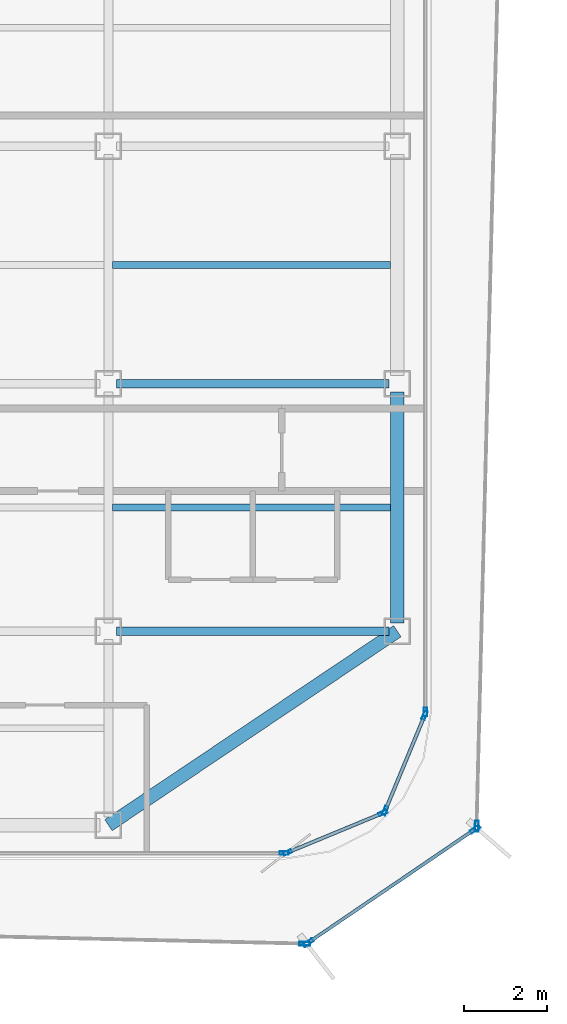
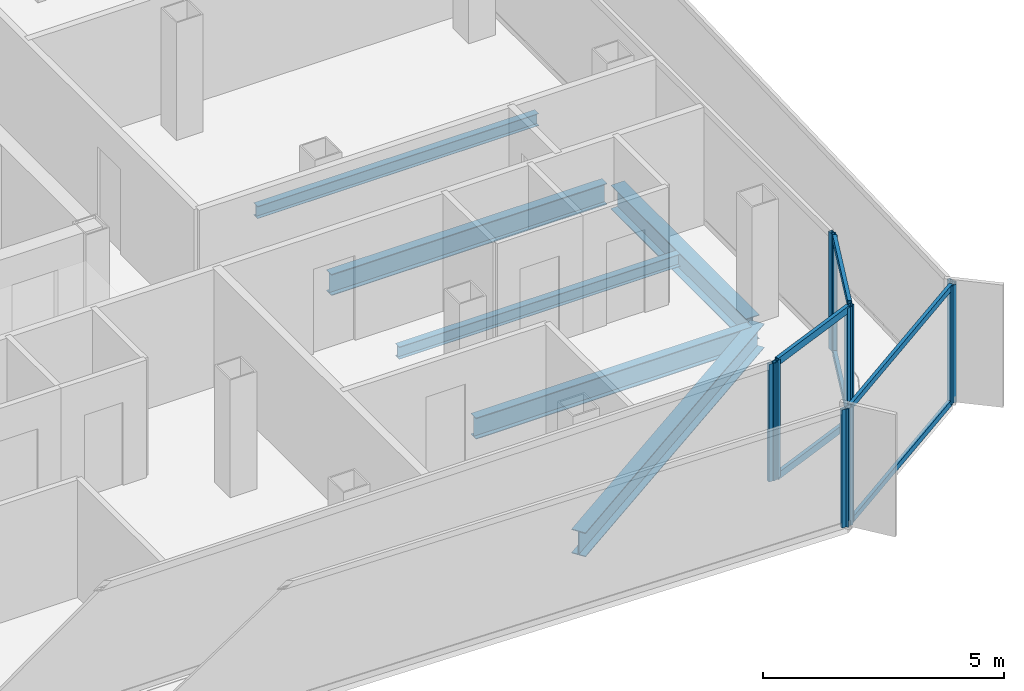
# One storey, part 4 of 15: 16 members, 6 beams, 7 elements without a shape of their own.
"""IFC4 building model written with IfcOpenShell, lengths in metres."""

from ifc_helpers import new_model, si_unit, direction, frame, origin, origin_2d, place, context, subcontext, project, spatial, hollow_rectangle, i_section, extrude, source, transform, mapped, material, layer, layer_set, material_profile, profile_set, type_object, element, aggregate, save


model = new_model("IFC4")

# Units and contexts
model_context = context("Model", 3, precision=1e-05, world=origin(), true_north=direction((0.0, 1.0)))
body_context = subcontext(model_context, "Body", "Model", "MODEL_VIEW")
ifc_project = project(units=[si_unit("LENGTHUNIT", "METRE"), si_unit("AREAUNIT", "SQUARE_METRE"), si_unit("VOLUMEUNIT", "CUBIC_METRE"), si_unit("PLANEANGLEUNIT", "RADIAN"), si_unit("MASSUNIT", "GRAM", prefix="KILO")], contexts=[model_context])

# Site, building, storey
site_placement = place(None, origin())
site = spatial("IfcSite", under=ifc_project, at=site_placement, CompositionType="ELEMENT")
building_placement = place(site_placement, origin())
building = spatial("IfcBuilding", under=site, at=building_placement, Name="Kolveth Station Tower", CompositionType="ELEMENT")
storey_placement = place(building_placement, frame((0.0, 0.0, 220.10009765625)))
storey = spatial("IfcBuildingStorey", under=building, at=storey_placement, Name="L62", CompositionType="ELEMENT", Elevation=220.10009765625)

# Beams
ifc_material_1 = material(Name="Steel S355", Category="steel")
ifc_material_profile_1 = material_profile(ifc_material_1, i_section(OverallWidth=0.323974609375, OverallDepth=0.611083984375, WebThickness=0.0126953125, FlangeThickness=0.01904296875, at=origin_2d()), Name="W610x155")
ifc_profile_set_1 = profile_set([ifc_material_profile_1], Name="Steel S355")
beam_type_1 = type_object("IfcBeamType", Name="Beam_SP2", PredefinedType="SPANDREL", material=ifc_profile_set_1)
shared_shape_1 = source(origin(), body_context, "Body", "SweptSolid", [
    extrude(i_section(OverallWidth=0.323974609375, OverallDepth=0.611083984375, WebThickness=0.0126953125, FlangeThickness=0.01904296875, at=origin_2d()), origin(), (0.0, 0.0, 1.0), 8.431396484375),
])
beam_1_placement = place(storey_placement, frame((34.0, 0.800048828125, -0.525634765625), z_axis=(0.830223811004, 0.557430196206, 0.0), x_axis=(-0.557430196206, 0.830223811004, 0.0)))
element("IfcBeam", 1, at=beam_1_placement, inside=storey, type_object=beam_type_1, Name="L62 Corner Edge Girder BM-L62-CNR-SE", PredefinedType="SPANDREL", context=body_context, shape_type="MappedRepresentation", body=[
    mapped(shared_shape_1, transform((0.0, 0.0, 0.0), x_axis=(1.0, 0.0, 0.0), y_axis=(0.0, 1.0, 0.0), z_axis=(0.0, 0.0, 1.0), scale=1.0)),
])
shared_shape_2 = source(origin(), body_context, "Body", "SweptSolid", [
    extrude(i_section(OverallWidth=0.323974609375, OverallDepth=0.611083984375, WebThickness=0.0126953125, FlangeThickness=0.01904296875, at=origin_2d()), origin(), (0.0, 0.0, 1.0), 5.60009765625),
])
beam_2_placement = place(storey_placement, frame((41.0, 5.699951171875, -0.525634765625), z_axis=(0.0, 1.0, 0.0), x_axis=(-1.0, 0.0, 0.0)))
element("IfcBeam", 2, at=beam_2_placement, inside=storey, type_object=beam_type_1, Name="L62 Perimeter Spandrel BM-L62-PE-1", PredefinedType="SPANDREL", context=body_context, shape_type="MappedRepresentation", body=[
    mapped(shared_shape_2, transform((0.0, 0.0, 0.0), x_axis=(1.0, 0.0, 0.0), y_axis=(0.0, 1.0, 0.0), z_axis=(0.0, 0.0, 1.0), scale=1.0)),
])
ifc_material_profile_2 = material_profile(ifc_material_1, i_section(OverallWidth=0.2099609375, OverallDepth=0.537109375, WebThickness=0.010986328125, FlangeThickness=0.017333984375, at=origin_2d()), Name="W530x101")
ifc_profile_set_2 = profile_set([ifc_material_profile_2], Name="Steel S355")
beam_type_2 = type_object("IfcBeamType", Name="Beam_B6", PredefinedType="BEAM", material=ifc_profile_set_2)
shared_shape_3 = source(origin(), body_context, "Body", "SweptSolid", [
    extrude(i_section(OverallWidth=0.2099609375, OverallDepth=0.537109375, WebThickness=0.010986328125, FlangeThickness=0.017333984375, at=origin_2d()), origin(), (0.0, 0.0, 1.0), 6.60009765625),
])
for number, where, z_axis, x_axis, name in (
    (3, (34.199951171875, 5.5, -0.488525390625), (1.0, 0.0, 0.0), (0.0, 1.0, 0.0), "L62 Primary Girder BM-L62-GY55-5"),
    (4, (34.199951171875, 11.5, -0.488525390625), (1.0, 0.0, 0.0), (0.0, 1.0, 0.0), "L62 Primary Girder BM-L62-GY115-5"),
):
    element("IfcBeam", number, at=place(storey_placement, frame(where, z_axis=z_axis, x_axis=x_axis)), inside=storey, type_object=beam_type_2, Name=name, PredefinedType="BEAM", context=body_context, shape_type="MappedRepresentation", body=[
        mapped(shared_shape_3, transform((0.0, 0.0, 0.0), x_axis=(1.0, 0.0, 0.0), y_axis=(0.0, 1.0, 0.0), z_axis=(0.0, 0.0, 1.0), scale=1.0)),
    ])
ifc_material_profile_3 = material_profile(ifc_material_1, i_section(OverallWidth=0.1650390625, OverallDepth=0.31005859375, WebThickness=0.005859375, FlangeThickness=0.009765625, at=origin_2d()), Name="W310x39")
ifc_profile_set_3 = profile_set([ifc_material_profile_3], Name="Steel S355")
beam_type_3 = type_object("IfcBeamType", Name="Beam_J3", PredefinedType="JOIST", material=ifc_profile_set_3)
shared_shape_4 = source(origin(), body_context, "Body", "SweptSolid", [
    extrude(i_section(OverallWidth=0.1650390625, OverallDepth=0.31005859375, WebThickness=0.005859375, FlangeThickness=0.009765625, at=origin_2d()), origin(), (0.0, 0.0, 1.0), 6.737060546875),
])
for number, where, z_axis, x_axis, name in (
    (5, (34.10302734375, 8.5, -0.375), (1.0, 0.0, 0.0), (0.0, 1.0, 0.0), "L62 Secondary Joist JST-L62-5-2"),
    (6, (34.10302734375, 14.375, -0.375), (1.0, 0.0, 0.0), (0.0, 1.0, 0.0), "L62 Secondary Joist JST-L62-5-3"),
):
    element("IfcBeam", number, at=place(storey_placement, frame(where, z_axis=z_axis, x_axis=x_axis)), inside=storey, type_object=beam_type_3, Name=name, PredefinedType="JOIST", context=body_context, shape_type="MappedRepresentation", body=[
        mapped(shared_shape_4, transform((0.0, 0.0, 0.0), x_axis=(1.0, 0.0, 0.0), y_axis=(0.0, 1.0, 0.0), z_axis=(0.0, 0.0, 1.0), scale=1.0)),
    ])

# Curtain wall, members
ifc_material_2 = material(Name="Black anodized aluminium 6063-T6 and dark solar glass", Category="aluminium")
ifc_layer_1 = layer(ifc_material_2, 0.159912109375)
ifc_layer_set_1 = layer_set([ifc_layer_1], Name="Black anodized aluminium 6063-T6 and dark solar glass")
curtain_wall_type_1 = type_object("IfcCurtainWallType", Name="OUTER SKIN CW-OS", PredefinedType="NOTDEFINED", material=ifc_layer_set_1)
curtain_wall_1_placement = place(storey_placement, origin())
curtain_wall_1 = element("IfcCurtainWall", 7, at=curtain_wall_1_placement, inside=storey, type_object=curtain_wall_type_1, Name="L62 Outer Ventilated Skin Curtain Wall 1", PredefinedType="NOTDEFINED")
ifc_material_3 = material(Name="Black anodized aluminium 6063-T6", Category="aluminium")
ifc_material_profile_4 = material_profile(ifc_material_3, hollow_rectangle(XDim=0.090087890625, YDim=0.260009765625, WallThickness=0.0048828125, at=origin_2d()), Name="ALU-90x260x5")
ifc_profile_set_4 = profile_set([ifc_material_profile_4], Name="Black anodized aluminium 6063-T6")
member_type_1 = type_object("IfcMemberType", Name="FIN MULLION ML-OS", PredefinedType="MULLION", material=ifc_profile_set_4)
shared_shape_5 = source(origin(), body_context, "Body", "SweptSolid", [
    extrude(hollow_rectangle(XDim=0.090087890625, YDim=0.260009765625, WallThickness=0.0048828125, at=origin_2d()), origin(), (0.0, 0.0, 1.0), 2.989990234375),
])
member_1_placement = place(storey_placement, frame((38.839599609375, -2.050537109375, 0.0), z_axis=(0.0, 0.0, 1.0), x_axis=(-0.562615477946, 0.8267187091, 0.0)))
member_1 = element("IfcMember", 8, at=member_1_placement, type_object=member_type_1, Name="CW-OS mullion 1", PredefinedType="MULLION", context=body_context, shape_type="MappedRepresentation", body=[
    mapped(shared_shape_5, transform((0.0, 0.0, 0.0), x_axis=(1.0, 0.0, 0.0), y_axis=(0.0, 1.0, 0.0), z_axis=(0.0, 0.0, 1.0), scale=1.0)),
])
member_2_placement = place(storey_placement, frame((42.887939453125, 0.70458984375, 0.0), z_axis=(0.0, 0.0, 1.0), x_axis=(-0.562615477946, 0.8267187091, 0.0)))
member_2 = element("IfcMember", 9, at=member_2_placement, type_object=member_type_1, Name="CW-OS mullion 2", PredefinedType="MULLION", context=body_context, shape_type="MappedRepresentation", body=[
    mapped(shared_shape_5, transform((0.0, 0.0, 0.0), x_axis=(1.0, 0.0, 0.0), y_axis=(0.0, 1.0, 0.0), z_axis=(0.0, 0.0, 1.0), scale=1.0)),
])

# Curtain wall, member
curtain_wall_2_placement = place(storey_placement, origin())
curtain_wall_2 = element("IfcCurtainWall", 10, at=curtain_wall_2_placement, inside=storey, type_object=curtain_wall_type_1, Name="L62 Outer Ventilated Skin Curtain Wall 2", PredefinedType="NOTDEFINED")
member_3_placement = place(storey_placement, frame((42.92626953125, 0.77490234375, 0.0), z_axis=(0.0, 0.0, 1.0), x_axis=(-0.999687283982, 0.025006684012, 0.0)))
member_3 = element("IfcMember", 11, at=member_3_placement, type_object=member_type_1, Name="CW-OS mullion 1", PredefinedType="MULLION", context=body_context, shape_type="MappedRepresentation", body=[
    mapped(shared_shape_5, transform((0.0, 0.0, 0.0), x_axis=(1.0, 0.0, 0.0), y_axis=(0.0, 1.0, 0.0), z_axis=(0.0, 0.0, 1.0), scale=1.0)),
])
aggregate(curtain_wall_2, [member_3])

curtain_wall_3_placement = place(storey_placement, origin())
curtain_wall_3 = element("IfcCurtainWall", 12, at=curtain_wall_3_placement, inside=storey, type_object=curtain_wall_type_1, Name="L62 Outer Ventilated Skin Curtain Wall 8", PredefinedType="NOTDEFINED")
member_4_placement = place(storey_placement, frame((38.75732421875, -2.07470703125, 0.0), z_axis=(0.0, 0.0, 1.0), x_axis=(0.022953791437, 0.99973652702, 0.0)))
member_4 = element("IfcMember", 13, at=member_4_placement, type_object=member_type_1, Name="CW-OS mullion 2", PredefinedType="MULLION", context=body_context, shape_type="MappedRepresentation", body=[
    mapped(shared_shape_5, transform((0.0, 0.0, 0.0), x_axis=(1.0, 0.0, 0.0), y_axis=(0.0, 1.0, 0.0), z_axis=(0.0, 0.0, 1.0), scale=1.0)),
])
aggregate(curtain_wall_3, [member_4])

# Curtain wall, members
ifc_material_4 = material(Name="Aluminium 6063-T6 and triple low-E dark glass", Category="aluminium")
ifc_layer_2 = layer(ifc_material_4, 0.199951171875)
ifc_layer_set_2 = layer_set([ifc_layer_2], Name="Aluminium 6063-T6 and triple low-E dark glass")
curtain_wall_type_2 = type_object("IfcCurtainWallType", Name="CurtainWall_CW-Z3", PredefinedType="NOTDEFINED", material=ifc_layer_set_2)
curtain_wall_4_placement = place(storey_placement, origin())
curtain_wall_4 = element("IfcCurtainWall", 14, at=curtain_wall_4_placement, inside=storey, type_object=curtain_wall_type_2, Name="L62 Inner Thermal Curtain Wall 1", PredefinedType="NOTDEFINED")
ifc_material_profile_5 = material_profile(ifc_material_3, hollow_rectangle(XDim=0.0849609375, YDim=0.215087890625, WallThickness=0.0048828125, at=origin_2d()), Name="ALU-85x215x5")
ifc_profile_set_5 = profile_set([ifc_material_profile_5], Name="Black anodized aluminium 6063-T6")
member_type_2 = type_object("IfcMemberType", Name="Mullion_ML3", PredefinedType="MULLION", material=ifc_profile_set_5)
shared_shape_6 = source(origin(), body_context, "Body", "SweptSolid", [
    extrude(hollow_rectangle(XDim=0.0849609375, YDim=0.215087890625, WallThickness=0.0048828125, at=origin_2d()), origin(), (0.0, 0.0, 1.0), 2.97998046875),
])
member_5_placement = place(storey_placement, frame((38.33935546875, 0.13623046875, 0.0), z_axis=(0.0, 0.0, 1.0), x_axis=(-0.382693194181, 0.923875488975, 0.0)))
member_5 = element("IfcMember", 15, at=member_5_placement, type_object=member_type_2, Name="CW-Z3 mullion 1", PredefinedType="MULLION", context=body_context, shape_type="MappedRepresentation", body=[
    mapped(shared_shape_6, transform((0.0, 0.0, 0.0), x_axis=(1.0, 0.0, 0.0), y_axis=(0.0, 1.0, 0.0), z_axis=(0.0, 0.0, 1.0), scale=1.0)),
])
member_6_placement = place(storey_placement, frame((40.650634765625, 1.09375, 0.0), z_axis=(0.0, 0.0, 1.0), x_axis=(-0.382693194181, 0.923875488975, 0.0)))
member_6 = element("IfcMember", 16, at=member_6_placement, type_object=member_type_2, Name="CW-Z3 mullion 2", PredefinedType="MULLION", context=body_context, shape_type="MappedRepresentation", body=[
    mapped(shared_shape_6, transform((0.0, 0.0, 0.0), x_axis=(1.0, 0.0, 0.0), y_axis=(0.0, 1.0, 0.0), z_axis=(0.0, 0.0, 1.0), scale=1.0)),
])

curtain_wall_5_placement = place(storey_placement, origin())
curtain_wall_5 = element("IfcCurtainWall", 17, at=curtain_wall_5_placement, inside=storey, type_object=curtain_wall_type_2, Name="L62 Inner Thermal Curtain Wall 2", PredefinedType="NOTDEFINED")
member_7_placement = place(storey_placement, frame((40.706298828125, 1.149169921875, 0.0), z_axis=(0.0, 0.0, 1.0), x_axis=(-0.923875488975, 0.382693194181, 0.0)))
member_7 = element("IfcMember", 18, at=member_7_placement, type_object=member_type_2, Name="CW-Z3 mullion 1", PredefinedType="MULLION", context=body_context, shape_type="MappedRepresentation", body=[
    mapped(shared_shape_6, transform((0.0, 0.0, 0.0), x_axis=(1.0, 0.0, 0.0), y_axis=(0.0, 1.0, 0.0), z_axis=(0.0, 0.0, 1.0), scale=1.0)),
])
member_8_placement = place(storey_placement, frame((41.663818359375, 3.460693359375, 0.0), z_axis=(0.0, 0.0, 1.0), x_axis=(-0.923875488975, 0.382693194181, 0.0)))
member_8 = element("IfcMember", 19, at=member_8_placement, type_object=member_type_2, Name="CW-Z3 mullion 2", PredefinedType="MULLION", context=body_context, shape_type="MappedRepresentation", body=[
    mapped(shared_shape_6, transform((0.0, 0.0, 0.0), x_axis=(1.0, 0.0, 0.0), y_axis=(0.0, 1.0, 0.0), z_axis=(0.0, 0.0, 1.0), scale=1.0)),
])

# Curtain wall, member
curtain_wall_6_placement = place(storey_placement, origin())
curtain_wall_6 = element("IfcCurtainWall", 20, at=curtain_wall_6_placement, inside=storey, type_object=curtain_wall_type_2, Name="L62 Inner Thermal Curtain Wall 3", PredefinedType="NOTDEFINED")
member_9_placement = place(storey_placement, frame((41.679931640625, 3.54248046875, 0.0), z_axis=(0.0, 0.0, 1.0), x_axis=(-1.0, 0.0, 0.0)))
member_9 = element("IfcMember", 21, at=member_9_placement, type_object=member_type_2, Name="CW-Z3 mullion 1", PredefinedType="MULLION", context=body_context, shape_type="MappedRepresentation", body=[
    mapped(shared_shape_6, transform((0.0, 0.0, 0.0), x_axis=(1.0, 0.0, 0.0), y_axis=(0.0, 1.0, 0.0), z_axis=(0.0, 0.0, 1.0), scale=1.0)),
])
aggregate(curtain_wall_6, [member_9])

curtain_wall_7_placement = place(storey_placement, origin())
curtain_wall_7 = element("IfcCurtainWall", 22, at=curtain_wall_7_placement, inside=storey, type_object=curtain_wall_type_2, Name="L62 Inner Thermal Curtain Wall 12", PredefinedType="NOTDEFINED")
member_10_placement = place(storey_placement, frame((38.257568359375, 0.1201171875, 0.0), z_axis=(0.0, 0.0, 1.0), x_axis=(0.0, 1.0, 0.0)))
member_10 = element("IfcMember", 23, at=member_10_placement, type_object=member_type_2, Name="CW-Z3 mullion 2", PredefinedType="MULLION", context=body_context, shape_type="MappedRepresentation", body=[
    mapped(shared_shape_6, transform((0.0, 0.0, 0.0), x_axis=(1.0, 0.0, 0.0), y_axis=(0.0, 1.0, 0.0), z_axis=(0.0, 0.0, 1.0), scale=1.0)),
])
aggregate(curtain_wall_7, [member_10])

# Member
ifc_material_profile_6 = material_profile(ifc_material_3, hollow_rectangle(XDim=0.0849609375, YDim=0.179931640625, WallThickness=0.0048828125, at=origin_2d()), Name="ALU-85x180x5")
ifc_profile_set_6 = profile_set([ifc_material_profile_6], Name="Black anodized aluminium 6063-T6")
member_type_3 = type_object("IfcMemberType", Name="Transom_TR3", PredefinedType="USERDEFINED", material=ifc_profile_set_6)
shared_shape_7 = source(origin(), body_context, "Body", "SweptSolid", [
    extrude(hollow_rectangle(XDim=0.0849609375, YDim=0.179931640625, WallThickness=0.0048828125, at=origin_2d()), origin(), (0.0, 0.0, 1.0), 2.4169921875),
])
member_11_placement = place(storey_placement, frame((38.37841796875, 0.152587890625, 0.04248046875), z_axis=(0.923908507952, 0.382613471971, 0.0), x_axis=(-0.382613471971, 0.923908507952, 0.0)))
member_11 = element("IfcMember", 24, at=member_11_placement, type_object=member_type_3, Name="CW-Z3 transom 1.1", ObjectType="TRANSOM", PredefinedType="USERDEFINED", context=body_context, shape_type="MappedRepresentation", body=[
    mapped(shared_shape_7, transform((0.0, 0.0, 0.0), x_axis=(1.0, 0.0, 0.0), y_axis=(0.0, 1.0, 0.0), z_axis=(0.0, 0.0, 1.0), scale=1.0)),
])

member_12_placement = place(storey_placement, frame((38.37841796875, 0.152587890625, 2.9375), z_axis=(0.923908507952, 0.382613471971, 0.0), x_axis=(-0.382613471971, 0.923908507952, 0.0)))
member_12 = element("IfcMember", 25, at=member_12_placement, type_object=member_type_3, Name="CW-Z3 transom 1.2", ObjectType="TRANSOM", PredefinedType="USERDEFINED", context=body_context, shape_type="MappedRepresentation", body=[
    mapped(shared_shape_7, transform((0.0, 0.0, 0.0), x_axis=(1.0, 0.0, 0.0), y_axis=(0.0, 1.0, 0.0), z_axis=(0.0, 0.0, 1.0), scale=1.0)),
])

aggregate(curtain_wall_4, [member_5, member_6, member_11, member_12])

member_13_placement = place(storey_placement, frame((40.722412109375, 1.1884765625, 0.04248046875), z_axis=(0.382735401206, 0.9238580046, 0.0), x_axis=(-0.9238580046, 0.382735401206, 0.0)))
member_13 = element("IfcMember", 26, at=member_13_placement, type_object=member_type_3, Name="CW-Z3 transom 1.1", ObjectType="TRANSOM", PredefinedType="USERDEFINED", context=body_context, shape_type="MappedRepresentation", body=[
    mapped(shared_shape_7, transform((0.0, 0.0, 0.0), x_axis=(1.0, 0.0, 0.0), y_axis=(0.0, 1.0, 0.0), z_axis=(0.0, 0.0, 1.0), scale=1.0)),
])

member_14_placement = place(storey_placement, frame((40.722412109375, 1.1884765625, 2.9375), z_axis=(0.382735401206, 0.9238580046, 0.0), x_axis=(-0.9238580046, 0.382735401206, 0.0)))
member_14 = element("IfcMember", 27, at=member_14_placement, type_object=member_type_3, Name="CW-Z3 transom 1.2", ObjectType="TRANSOM", PredefinedType="USERDEFINED", context=body_context, shape_type="MappedRepresentation", body=[
    mapped(shared_shape_7, transform((0.0, 0.0, 0.0), x_axis=(1.0, 0.0, 0.0), y_axis=(0.0, 1.0, 0.0), z_axis=(0.0, 0.0, 1.0), scale=1.0)),
])

aggregate(curtain_wall_5, [member_7, member_8, member_13, member_14])

ifc_material_profile_7 = material_profile(ifc_material_3, hollow_rectangle(XDim=0.080078125, YDim=0.14990234375, WallThickness=0.0048828125, at=origin_2d()), Name="ALU-80x150x5")
ifc_profile_set_7 = profile_set([ifc_material_profile_7], Name="Black anodized aluminium 6063-T6")
member_type_4 = type_object("IfcMemberType", Name="Transom_TR-OS", PredefinedType="USERDEFINED", material=ifc_profile_set_7)
shared_shape_8 = source(origin(), body_context, "Body", "SweptSolid", [
    extrude(hollow_rectangle(XDim=0.080078125, YDim=0.14990234375, WallThickness=0.0048828125, at=origin_2d()), origin(), (0.0, 0.0, 1.0), 4.80712890625),
])
member_15_placement = place(storey_placement, frame((38.876708984375, -2.025146484375, 0.039794921875), z_axis=(0.826714848506, 0.56262115074, 0.0), x_axis=(-0.56262115074, 0.826714848506, 0.0)))
member_15 = element("IfcMember", 28, at=member_15_placement, type_object=member_type_4, Name="CW-OS transom 1.1", ObjectType="TRANSOM", PredefinedType="USERDEFINED", context=body_context, shape_type="MappedRepresentation", body=[
    mapped(shared_shape_8, transform((0.0, 0.0, 0.0), x_axis=(1.0, 0.0, 0.0), y_axis=(0.0, 1.0, 0.0), z_axis=(0.0, 0.0, 1.0), scale=1.0)),
])

member_16_placement = place(storey_placement, frame((38.876708984375, -2.025146484375, 2.949951171875), z_axis=(0.826714848506, 0.56262115074, 0.0), x_axis=(-0.56262115074, 0.826714848506, 0.0)))
member_16 = element("IfcMember", 29, at=member_16_placement, type_object=member_type_4, Name="CW-OS transom 1.2", ObjectType="TRANSOM", PredefinedType="USERDEFINED", context=body_context, shape_type="MappedRepresentation", body=[
    mapped(shared_shape_8, transform((0.0, 0.0, 0.0), x_axis=(1.0, 0.0, 0.0), y_axis=(0.0, 1.0, 0.0), z_axis=(0.0, 0.0, 1.0), scale=1.0)),
])

aggregate(curtain_wall_1, [member_1, member_2, member_15, member_16])

save(model, "model.ifc")
